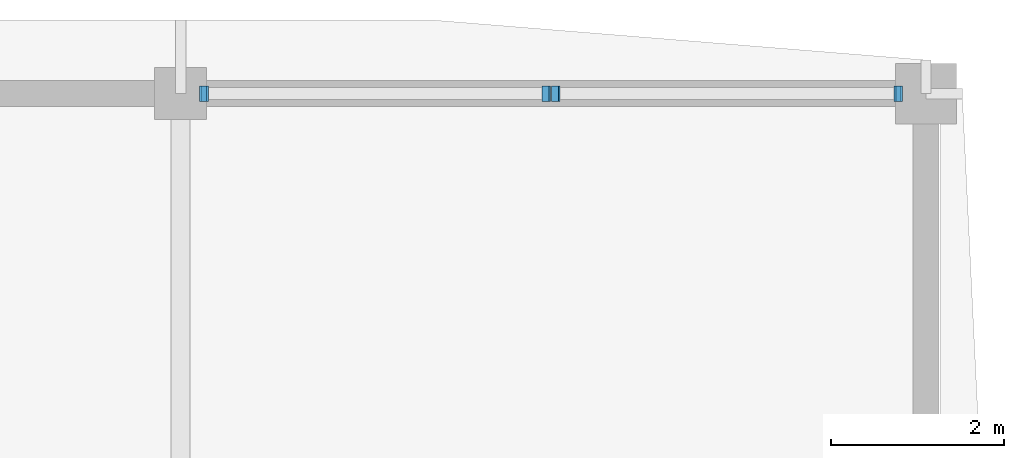
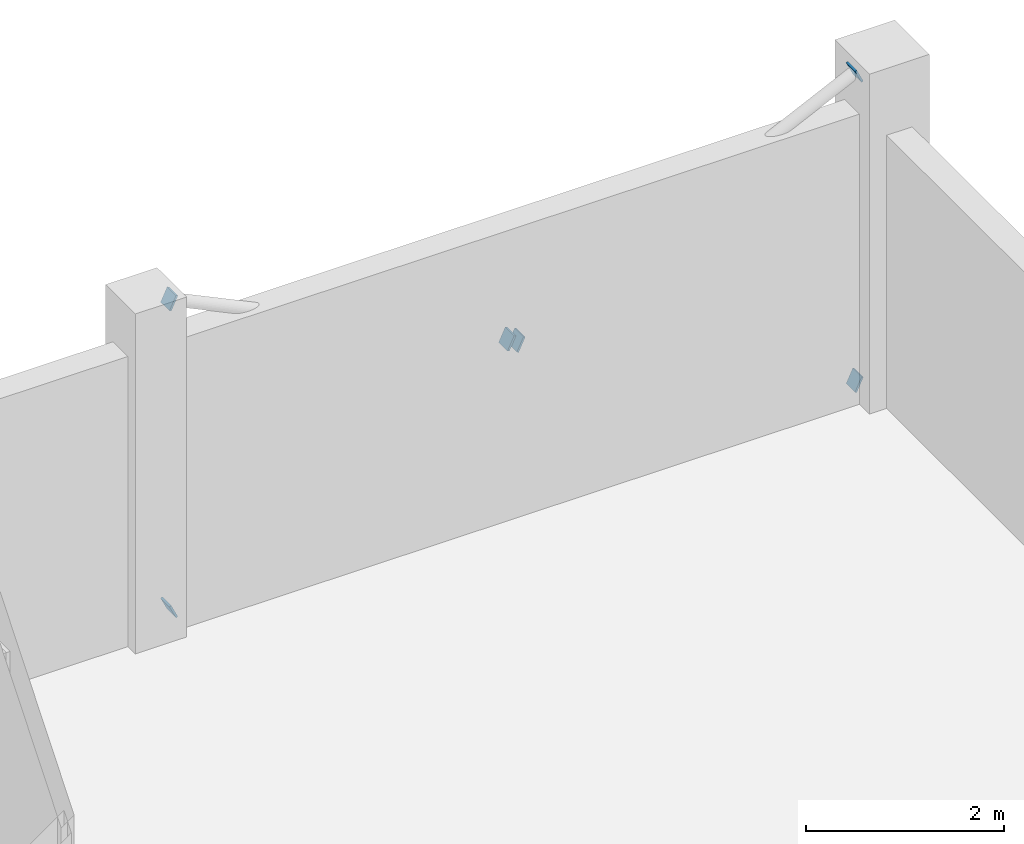
# One storey, part 91 of 121: 6 plates.
"""IFC4 building model written with IfcOpenShell, lengths in metres."""

from ifc_helpers import new_model, si_unit, direction, frame, origin, origin_2d, place, context, subcontext, project, spatial, rectangle, extrude, material, material_profile, profile_set, type_object, element, save


model = new_model("IFC4")

# Units and contexts
model_context = context("Model", 3, precision=1e-05, world=origin(), true_north=direction((0.0, 1.0)))
body_context = subcontext(model_context, "Body", "Model", "MODEL_VIEW")
ifc_project = project(units=[si_unit("LENGTHUNIT", "METRE"), si_unit("AREAUNIT", "SQUARE_METRE"), si_unit("VOLUMEUNIT", "CUBIC_METRE"), si_unit("PLANEANGLEUNIT", "RADIAN"), si_unit("MASSUNIT", "GRAM", prefix="KILO")], contexts=[model_context])

# Site, building, storey
site_placement = place(None, origin())
site = spatial("IfcSite", under=ifc_project, at=site_placement, CompositionType="ELEMENT")
building_placement = place(site_placement, origin())
building = spatial("IfcBuilding", under=site, at=building_placement, Name="Vinh Khe Railworks Police Headquarters", CompositionType="ELEMENT")
storey_placement = place(building_placement, frame((0.0, 0.0, 4.800048828125)))
storey = spatial("IfcBuildingStorey", under=building, at=storey_placement, Name="L01", CompositionType="ELEMENT", Elevation=4.800048828125)

# Plates
ifc_material = material(Name="Steel S355JR", Category="steel")
ifc_material_profile = material_profile(ifc_material, rectangle(XDim=0.179931640625, YDim=0.179931640625, at=origin_2d()), Name="PL 180x180")
ifc_profile_set = profile_set([ifc_material_profile], Name="Steel S355JR")
plate_type = type_object("IfcPlateType", Name="Steel End-Cap Plate 180x180x24", PredefinedType="SHEET", material=ifc_profile_set)
for number, where, z_axis, x_axis, name in (
    (1, (105.280029296875, 166.39990234375, 0.199951171875), (-0.904357603074, 0.0, -0.42677549808), (0.0, -1.0, 0.0), "End-Cap Gusset Plate PLT-EP-0699"),
    (2, (105.280029296875, 166.39990234375, 4.0), (-0.904357603074, 0.0, 0.42677549808), (0.0, -1.0, 0.0), "End-Cap Gusset Plate PLT-EP-0700"),
    (3, (109.20947265625, 166.39990234375, 2.131103515625), (0.902481037784, 0.0, -0.430729586215), (0.0, 1.0, 0.0), "End-Cap Gusset Plate PLT-EP-0702"),
    (4, (109.340576171875, 166.39990234375, 2.06884765625), (-0.904357603074, 0.0, 0.42677549808), (0.0, -1.0, 0.0), "End-Cap Gusset Plate PLT-EP-0708"),
    (5, (113.27001953125, 166.39990234375, 0.199951171875), (0.904357603074, 0.0, -0.42677549808), (0.0, 1.0, 0.0), "End-Cap Gusset Plate PLT-EP-0715"),
    (6, (113.27001953125, 166.39990234375, 4.0), (0.904357603074, 0.0, 0.42677549808), (0.0, 1.0, 0.0), "End-Cap Gusset Plate PLT-EP-0716"),
):
    element("IfcPlate", number, at=place(storey_placement, frame(where, z_axis=z_axis, x_axis=x_axis)), inside=storey, type_object=plate_type, Name=name, PredefinedType="SHEET", context=body_context, shape_type="SweptSolid", body=[
        extrude(rectangle(XDim=0.179931640625, YDim=0.179931640625, at=origin_2d()), origin(), (0.0, 0.0, 1.0), 0.02392578125),
    ])

save(model, "model.ifc")
